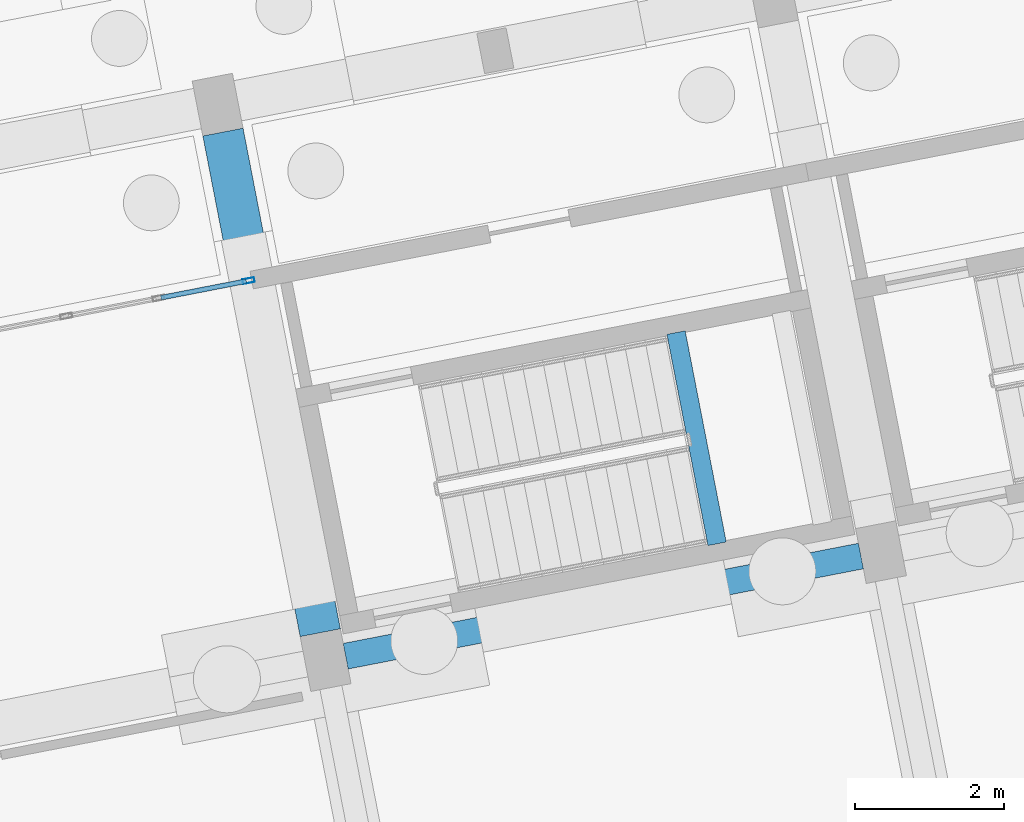
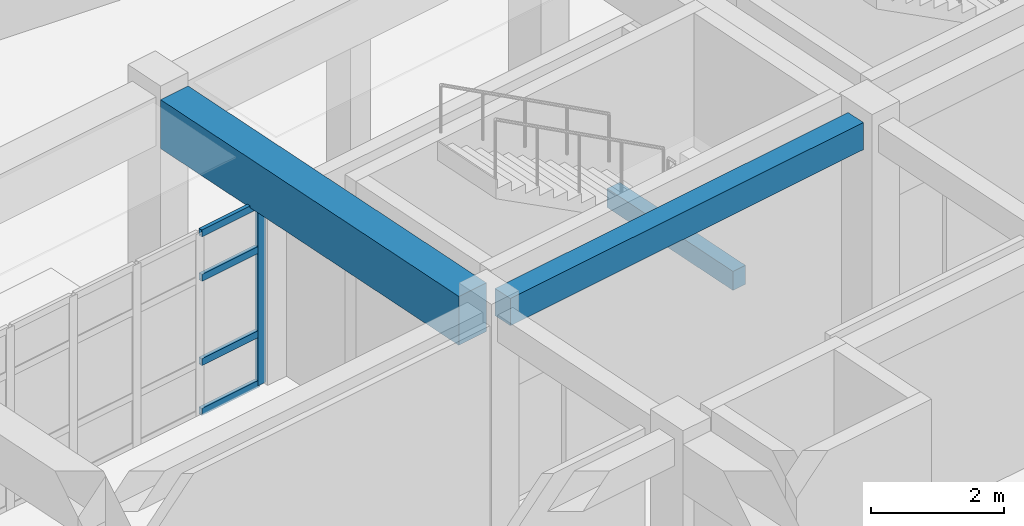
# One storey, part 94 of 154: 5 members, 3 beams, 1 element without a shape of its own.
"""IFC4 building model written with IfcOpenShell, lengths in metres."""

from ifc_helpers import new_model, si_unit, direction, frame, origin, origin_2d, place, context, subcontext, project, spatial, rectangle, hollow_rectangle, extrude, material, material_profile, profile_set, type_object, element, aggregate, save


model = new_model("IFC4")

# Units and contexts
model_context = context("Model", 3, precision=1e-05, world=origin(), true_north=direction((0.0, 1.0)))
body_context = subcontext(model_context, "Body", "Model", "MODEL_VIEW")
ifc_project = project(units=[si_unit("LENGTHUNIT", "METRE"), si_unit("AREAUNIT", "SQUARE_METRE"), si_unit("VOLUMEUNIT", "CUBIC_METRE"), si_unit("PLANEANGLEUNIT", "RADIAN"), si_unit("MASSUNIT", "GRAM", prefix="KILO")], contexts=[model_context])

# Site, building, storey
site_placement = place(None, origin())
site = spatial("IfcSite", under=ifc_project, at=site_placement, CompositionType="ELEMENT")
building_placement = place(site_placement, origin())
building = spatial("IfcBuilding", under=site, at=building_placement, Name="Kestramere Prow Commons", CompositionType="ELEMENT")
storey_placement = place(building_placement, origin())
storey = spatial("IfcBuildingStorey", under=building, at=storey_placement, Name="L00", CompositionType="ELEMENT", Elevation=0.0)

# Beams
ifc_material_1 = material(Name="Precast concrete C40/50", Category="concrete")
ifc_material_profile_1 = material_profile(ifc_material_1, rectangle(XDim=0.35009765625, YDim=0.5, at=origin_2d()), Name="PC-BM 350x500")
ifc_profile_set_1 = profile_set([ifc_material_profile_1], Name="Precast concrete C40/50")
beam_type_1 = type_object("IfcBeamType", Name="BM-D1 PC-BM 350x500", PredefinedType="BEAM", material=ifc_profile_set_1)
beam_1_placement = place(storey_placement, frame((138.76123046875, 50.182373046875, 4.0), z_axis=(0.981627823124, 0.190805704498, 0.0), x_axis=(-0.190805704498, 0.981627823124, 0.0)))
element("IfcBeam", 1, at=beam_1_placement, inside=storey, type_object=beam_type_1, Name="Block D L00 Longitudinal Beam 3-4", PredefinedType="BEAM", context=body_context, shape_type="SweptSolid", body=[
    extrude(rectangle(XDim=0.35009765625, YDim=0.5, at=origin_2d()), origin(), (0.0, 0.0, 1.0), 7.05029296875),
])
ifc_material_2 = material(Name="Concrete C40/50", Category="concrete")
ifc_material_profile_2 = material_profile(ifc_material_2, rectangle(XDim=0.25, YDim=0.35009765625, at=origin_2d()), Name="PC-BM 250x350")
ifc_profile_set_2 = profile_set([ifc_material_profile_2], Name="Concrete C40/50")
beam_type_2 = type_object("IfcBeamType", Name="BM-ST-TRIM", PredefinedType="BEAM", material=ifc_profile_set_2)
beam_2_placement = place(storey_placement, frame((143.75, 51.692138671875, 1.875), z_axis=(-0.190833481473, 0.981622423516, 0.0), x_axis=(-0.981622423516, -0.190833481473, 0.0)))
element("IfcBeam", 2, at=beam_2_placement, inside=storey, type_object=beam_type_2, Name="ST-D1 L00 Landing Trimmer Beam 1A", PredefinedType="BEAM", context=body_context, shape_type="SweptSolid", body=[
    extrude(rectangle(XDim=0.25, YDim=0.35009765625, at=origin_2d()), origin(), (0.0, 0.0, 1.0), 2.89013671875),
])

# Curtain wall, members
ifc_material_3 = material(Name="Anodised Aluminium and Low-E Glass", Category="aluminium")
curtain_wall_type = type_object("IfcCurtainWallType", Name="CW-07 Glazed Curtain Wall 7580x3350", PredefinedType="USERDEFINED", material=ifc_material_3)
curtain_wall_placement = place(storey_placement, origin())
curtain_wall = element("IfcCurtainWall", 3, at=curtain_wall_placement, inside=storey, type_object=curtain_wall_type, Name="Block D L00 North Courtyard Storefront 3", ObjectType="GLAZED CURTAIN WALL", PredefinedType="USERDEFINED")
ifc_material_4 = material(Name="Anodised Aluminium 6063-T6", Category="aluminium")
ifc_material_profile_3 = material_profile(ifc_material_4, hollow_rectangle(XDim=0.06494140625, YDim=0.159912109375, WallThickness=0.00390625, at=origin_2d()), Name="ALU-MUL 65x160")
ifc_profile_set_3 = profile_set([ifc_material_profile_3], Name="Anodised Aluminium 6063-T6")
member_type_1 = type_object("IfcMemberType", Name="CW-MUL-65x160", PredefinedType="MULLION", material=ifc_profile_set_3)
member_1_placement = place(storey_placement, frame((137.45751953125, 55.226318359375, 0.0), z_axis=(0.0, 0.0, 1.0), x_axis=(-0.190809100228, 0.981627163067, 0.0)))
member_1 = element("IfcMember", 4, at=member_1_placement, type_object=member_type_1, Name="CW-07 mullion 7", PredefinedType="MULLION", context=body_context, shape_type="SweptSolid", body=[
    extrude(hollow_rectangle(XDim=0.06494140625, YDim=0.159912109375, WallThickness=0.00390625, at=origin_2d()), origin(), (0.0, 0.0, 1.0), 3.35009765625),
])
ifc_material_profile_4 = material_profile(ifc_material_4, hollow_rectangle(XDim=0.06494140625, YDim=0.1298828125, WallThickness=0.00390625, at=origin_2d()), Name="ALU-TRN 65x130")
ifc_profile_set_4 = profile_set([ifc_material_profile_4], Name="Anodised Aluminium 6063-T6")
member_type_2 = type_object("IfcMemberType", Name="CW-TRN-65x130", PredefinedType="USERDEFINED", material=ifc_profile_set_4)
member_2_placement = place(storey_placement, frame((136.28125, 54.99755859375, 0.032470703125), z_axis=(0.981590312093, 0.190998584303, 0.0), x_axis=(-0.190998584303, 0.981590312093, 0.0)))
member_2 = element("IfcMember", 5, at=member_2_placement, type_object=member_type_2, Name="CW-07 transom 6.1", ObjectType="TRANSOM", PredefinedType="USERDEFINED", context=body_context, shape_type="SweptSolid", body=[
    extrude(hollow_rectangle(XDim=0.06494140625, YDim=0.1298828125, WallThickness=0.00390625, at=origin_2d()), origin(), (0.0, 0.0, 1.0), 1.165771484375),
])
member_3_placement = place(storey_placement, frame((136.28125, 54.99755859375, 0.949951171875), z_axis=(0.981590312093, 0.190998584303, 0.0), x_axis=(-0.190998584303, 0.981590312093, 0.0)))
member_3 = element("IfcMember", 6, at=member_3_placement, type_object=member_type_2, Name="CW-07 transom 6.2", ObjectType="TRANSOM", PredefinedType="USERDEFINED", context=body_context, shape_type="SweptSolid", body=[
    extrude(hollow_rectangle(XDim=0.06494140625, YDim=0.1298828125, WallThickness=0.00390625, at=origin_2d()), origin(), (0.0, 0.0, 1.0), 1.165771484375),
])
member_4_placement = place(storey_placement, frame((136.28125, 54.99755859375, 2.5), z_axis=(0.981590312093, 0.190998584303, 0.0), x_axis=(-0.190998584303, 0.981590312093, 0.0)))
member_4 = element("IfcMember", 7, at=member_4_placement, type_object=member_type_2, Name="CW-07 transom 6.3", ObjectType="TRANSOM", PredefinedType="USERDEFINED", context=body_context, shape_type="SweptSolid", body=[
    extrude(hollow_rectangle(XDim=0.06494140625, YDim=0.1298828125, WallThickness=0.00390625, at=origin_2d()), origin(), (0.0, 0.0, 1.0), 1.165771484375),
])
member_5_placement = place(storey_placement, frame((136.28125, 54.99755859375, 3.3173828125), z_axis=(0.981590312093, 0.190998584303, 0.0), x_axis=(-0.190998584303, 0.981590312093, 0.0)))
member_5 = element("IfcMember", 8, at=member_5_placement, type_object=member_type_2, Name="CW-07 transom 6.4", ObjectType="TRANSOM", PredefinedType="USERDEFINED", context=body_context, shape_type="SweptSolid", body=[
    extrude(hollow_rectangle(XDim=0.06494140625, YDim=0.1298828125, WallThickness=0.00390625, at=origin_2d()), origin(), (0.0, 0.0, 1.0), 1.165771484375),
])
aggregate(curtain_wall, [member_1, member_2, member_3, member_4, member_5])

# Beam
ifc_material_profile_5 = material_profile(ifc_material_1, rectangle(XDim=0.550048828125, YDim=0.89990234375, at=origin_2d()), Name="PC-TG 550x900")
ifc_profile_set_5 = profile_set([ifc_material_profile_5], Name="Precast concrete C40/50")
beam_type_3 = type_object("IfcBeamType", Name="TG-01 PC-TG 550x900 (EX)", PredefinedType="BEAM", material=ifc_profile_set_5)
beam_3_placement = place(storey_placement, frame((138.419921875, 50.498046875, 3.800048828125), z_axis=(-0.190821960873, 0.981624663122, 0.0), x_axis=(-0.981624663122, -0.190821960873, 0.0)))
element("IfcBeam", 9, at=beam_3_placement, inside=storey, type_object=beam_type_3, Name="Block D L00 N Colonnade Transfer Girder 4", PredefinedType="BEAM", context=body_context, shape_type="SweptSolid", body=[
    extrude(rectangle(XDim=0.550048828125, YDim=0.89990234375, at=origin_2d()), origin(), (0.0, 0.0, 1.0), 6.85009765625),
])

save(model, "model.ifc")
